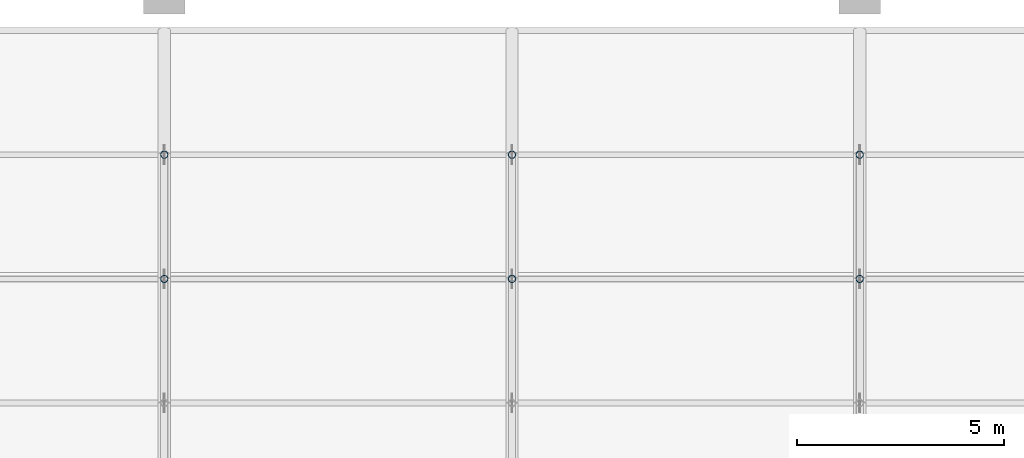
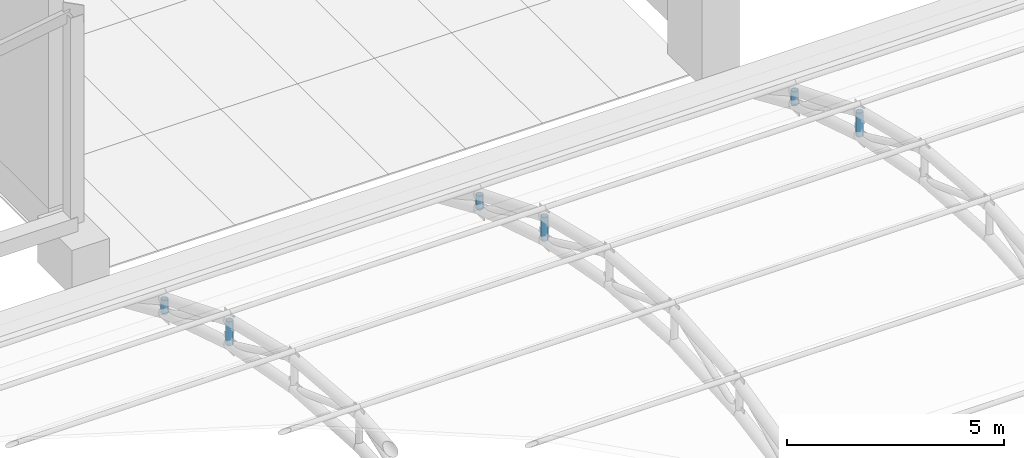
# One storey, part 85 of 163: 6 members.
"""IFC4 building model written with IfcOpenShell, lengths in metres."""

from ifc_helpers import new_model, si_unit, direction, frame, origin, origin_2d, place, context, subcontext, project, spatial, hollow_circle, extrude, material, material_profile, profile_set, type_object, element, save


model = new_model("IFC4")

# Units and contexts
model_context = context("Model", 3, precision=1e-05, world=origin(), true_north=direction((0.0, 1.0)))
body_context = subcontext(model_context, "Body", "Model", "MODEL_VIEW")
ifc_project = project(units=[si_unit("LENGTHUNIT", "METRE"), si_unit("AREAUNIT", "SQUARE_METRE"), si_unit("VOLUMEUNIT", "CUBIC_METRE"), si_unit("PLANEANGLEUNIT", "RADIAN"), si_unit("MASSUNIT", "GRAM", prefix="KILO")], contexts=[model_context])

# Site, building, storey
site_placement = place(None, origin())
site = spatial("IfcSite", under=ifc_project, at=site_placement, CompositionType="ELEMENT")
building_placement = place(site_placement, origin())
building = spatial("IfcBuilding", under=site, at=building_placement, Name="Rain Tree Exposition and Congress Centre", CompositionType="ELEMENT")
storey_placement = place(building_placement, frame((0.0, 0.0, 10.5)))
storey = spatial("IfcBuildingStorey", under=building, at=storey_placement, Name="L02", CompositionType="ELEMENT", Elevation=10.5)

# Members
ifc_material = material(Name="Steel S355J2H", Category="steel")
ifc_material_profile = material_profile(ifc_material, hollow_circle(Radius=0.090087890625, WallThickness=0.008056640625, at=origin_2d()), Name="CHS 180x8")
ifc_profile_set = profile_set([ifc_material_profile], Name="Steel S355J2H")
member_type = type_object("IfcMemberType", Name="Steel post member CHS 180x8", PredefinedType="POST", material=ifc_profile_set)
member_1_placement = place(storey_placement, frame((126.0, 93.60009765625, 2.3798828125), z_axis=(0.0, 0.0, 1.0), x_axis=(1.0, 0.0, 0.0)))
element("IfcMember", 1, at=member_1_placement, inside=storey, type_object=member_type, Name="Roof truss 16 post 6", PredefinedType="POST", context=body_context, shape_type="SweptSolid", body=[
    extrude(hollow_circle(Radius=0.090087890625, WallThickness=0.008056640625, at=origin_2d()), origin(), (0.0, 0.0, 1.0), 0.675048828125),
])
member_2_placement = place(storey_placement, frame((126.0, 96.60009765625, 1.4423828125), z_axis=(0.0, 0.0, 1.0), x_axis=(1.0, 0.0, 0.0)))
element("IfcMember", 2, at=member_2_placement, inside=storey, type_object=member_type, Name="Roof truss 16 post 7", PredefinedType="POST", context=body_context, shape_type="SweptSolid", body=[
    extrude(hollow_circle(Radius=0.090087890625, WallThickness=0.008056640625, at=origin_2d()), origin(), (0.0, 0.0, 1.0), 0.393798828125),
])
member_3_placement = place(storey_placement, frame((134.39990234375, 93.60009765625, 2.3798828125), z_axis=(0.0, 0.0, 1.0), x_axis=(1.0, 0.0, 0.0)))
element("IfcMember", 3, at=member_3_placement, inside=storey, type_object=member_type, Name="Roof truss 17 post 6", PredefinedType="POST", context=body_context, shape_type="SweptSolid", body=[
    extrude(hollow_circle(Radius=0.090087890625, WallThickness=0.008056640625, at=origin_2d()), origin(), (0.0, 0.0, 1.0), 0.675048828125),
])
member_4_placement = place(storey_placement, frame((134.39990234375, 96.60009765625, 1.4423828125), z_axis=(0.0, 0.0, 1.0), x_axis=(1.0, 0.0, 0.0)))
element("IfcMember", 4, at=member_4_placement, inside=storey, type_object=member_type, Name="Roof truss 17 post 7", PredefinedType="POST", context=body_context, shape_type="SweptSolid", body=[
    extrude(hollow_circle(Radius=0.090087890625, WallThickness=0.008056640625, at=origin_2d()), origin(), (0.0, 0.0, 1.0), 0.393798828125),
])
member_5_placement = place(storey_placement, frame((142.800048828125, 93.60009765625, 2.3798828125), z_axis=(0.0, 0.0, 1.0), x_axis=(1.0, 0.0, 0.0)))
element("IfcMember", 5, at=member_5_placement, inside=storey, type_object=member_type, Name="Roof truss 18 post 6", PredefinedType="POST", context=body_context, shape_type="SweptSolid", body=[
    extrude(hollow_circle(Radius=0.090087890625, WallThickness=0.008056640625, at=origin_2d()), origin(), (0.0, 0.0, 1.0), 0.675048828125),
])
member_6_placement = place(storey_placement, frame((142.800048828125, 96.60009765625, 1.4423828125), z_axis=(0.0, 0.0, 1.0), x_axis=(1.0, 0.0, 0.0)))
element("IfcMember", 6, at=member_6_placement, inside=storey, type_object=member_type, Name="Roof truss 18 post 7", PredefinedType="POST", context=body_context, shape_type="SweptSolid", body=[
    extrude(hollow_circle(Radius=0.090087890625, WallThickness=0.008056640625, at=origin_2d()), origin(), (0.0, 0.0, 1.0), 0.393798828125),
])

save(model, "model.ifc")
